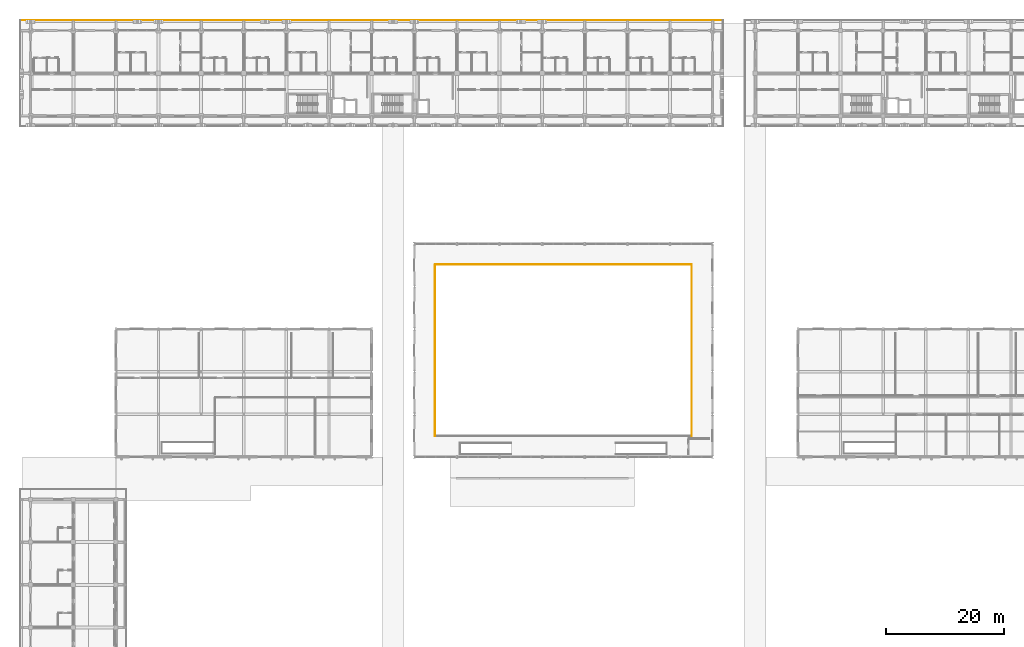
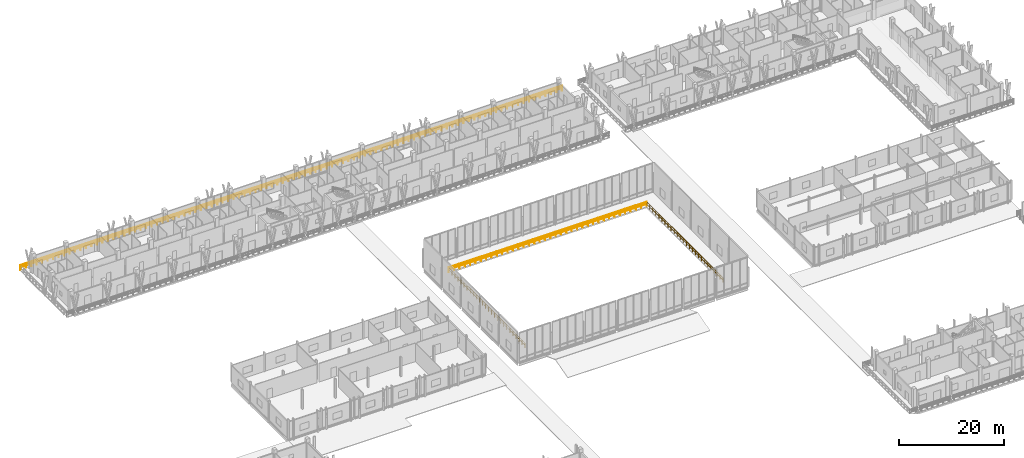
# One storey, part 101 of 110: 4 railings.
"""IFC4 building model written with IfcOpenShell, lengths in metres."""

from ifc_helpers import new_model, si_unit, direction, frame, origin, origin_2d, place, context, subcontext, project, spatial, rectangle, extrude, material, type_object, element, save


model = new_model("IFC4")

# Units and contexts
model_context = context("Model", 3, precision=1e-05, world=origin(), true_north=direction((0.0, 1.0)))
body_context = subcontext(model_context, "Body", "Model", "MODEL_VIEW")
ifc_project = project(units=[si_unit("LENGTHUNIT", "METRE"), si_unit("AREAUNIT", "SQUARE_METRE"), si_unit("VOLUMEUNIT", "CUBIC_METRE"), si_unit("PLANEANGLEUNIT", "RADIAN"), si_unit("MASSUNIT", "GRAM", prefix="KILO")], contexts=[model_context])

# Site, building, storey
site_placement = place(None, origin())
site = spatial("IfcSite", under=ifc_project, at=site_placement, CompositionType="ELEMENT")
building_placement = place(site_placement, origin())
building = spatial("IfcBuilding", under=site, at=building_placement, Name="Suanplinth Sawtooth Commons", CompositionType="ELEMENT")
storey_placement = place(building_placement, frame((0.0, 0.0, 4.5)))
storey = spatial("IfcBuildingStorey", under=building, at=storey_placement, Name="L01", CompositionType="ELEMENT", Elevation=4.5)

# Railings
ifc_material_1 = material(Name="Powder-coated galvanized steel", Category="steel")
railing_type_1 = type_object("IfcRailingType", Name="GR-01", PredefinedType="BALUSTRADE", material=ifc_material_1)
railing_1_placement = place(storey_placement, frame((-1.739990234375, 124.139892578125, 0.0)))
element("IfcRailing", 1, at=railing_1_placement, inside=storey, type_object=railing_type_1, Name="L01 Block A Perimeter Balustrade 2", PredefinedType="BALUSTRADE", context=body_context, shape_type="SweptSolid", body=[
    extrude(rectangle(XDim=0.048095703125, YDim=0.048095703125, at=origin_2d()), frame((0.0, 0.0, 1.09619140625), z_axis=(1.0, 0.0, 0.0), x_axis=(0.0, 1.0, 0.0)), (0.0, 0.0, 1.0), 118.679931640625),
    extrude(rectangle(XDim=0.03369140625, YDim=0.03369140625, at=origin_2d()), frame((0.0, 0.0, 0.56005859375), z_axis=(1.0, 0.0, 0.0), x_axis=(0.0, 1.0, 0.0)), (0.0, 0.0, 1.0), 118.679931640625),
    extrude(rectangle(XDim=0.0419921875, YDim=0.0419921875, at=origin_2d()), origin(), (0.0, 0.0, 1.0), 1.072021484375),
    extrude(rectangle(XDim=0.0419921875, YDim=0.0419921875, at=origin_2d()), frame((1.19873046875, 0.0, 0.0)), (0.0, 0.0, 1.0), 1.072021484375),
    extrude(rectangle(XDim=0.0419921875, YDim=0.0419921875, at=origin_2d()), frame((2.3974609375, 0.0, 0.0)), (0.0, 0.0, 1.0), 1.072021484375),
    extrude(rectangle(XDim=0.0419921875, YDim=0.0419921875, at=origin_2d()), frame((3.596435546875, 0.0, 0.0)), (0.0, 0.0, 1.0), 1.072021484375),
    extrude(rectangle(XDim=0.0419921875, YDim=0.0419921875, at=origin_2d()), frame((4.795166015625, 0.0, 0.0)), (0.0, 0.0, 1.0), 1.072021484375),
    extrude(rectangle(XDim=0.0419921875, YDim=0.0419921875, at=origin_2d()), frame((5.993896484375, 0.0, 0.0)), (0.0, 0.0, 1.0), 1.072021484375),
    extrude(rectangle(XDim=0.0419921875, YDim=0.0419921875, at=origin_2d()), frame((7.192626953125, 0.0, 0.0)), (0.0, 0.0, 1.0), 1.072021484375),
    extrude(rectangle(XDim=0.0419921875, YDim=0.0419921875, at=origin_2d()), frame((8.3916015625, 0.0, 0.0)), (0.0, 0.0, 1.0), 1.072021484375),
    extrude(rectangle(XDim=0.0419921875, YDim=0.0419921875, at=origin_2d()), frame((9.59033203125, 0.0, 0.0)), (0.0, 0.0, 1.0), 1.072021484375),
    extrude(rectangle(XDim=0.0419921875, YDim=0.0419921875, at=origin_2d()), frame((10.7890625, 0.0, 0.0)), (0.0, 0.0, 1.0), 1.072021484375),
    extrude(rectangle(XDim=0.0419921875, YDim=0.0419921875, at=origin_2d()), frame((11.98779296875, 0.0, 0.0)), (0.0, 0.0, 1.0), 1.072021484375),
    extrude(rectangle(XDim=0.0419921875, YDim=0.0419921875, at=origin_2d()), frame((13.186767578125, 0.0, 0.0)), (0.0, 0.0, 1.0), 1.072021484375),
    extrude(rectangle(XDim=0.0419921875, YDim=0.0419921875, at=origin_2d()), frame((14.385498046875, 0.0, 0.0)), (0.0, 0.0, 1.0), 1.072021484375),
    extrude(rectangle(XDim=0.0419921875, YDim=0.0419921875, at=origin_2d()), frame((15.584228515625, 0.0, 0.0)), (0.0, 0.0, 1.0), 1.072021484375),
    extrude(rectangle(XDim=0.0419921875, YDim=0.0419921875, at=origin_2d()), frame((16.782958984375, 0.0, 0.0)), (0.0, 0.0, 1.0), 1.072021484375),
    extrude(rectangle(XDim=0.0419921875, YDim=0.0419921875, at=origin_2d()), frame((17.981689453125, 0.0, 0.0)), (0.0, 0.0, 1.0), 1.072021484375),
    extrude(rectangle(XDim=0.0419921875, YDim=0.0419921875, at=origin_2d()), frame((19.1806640625, 0.0, 0.0)), (0.0, 0.0, 1.0), 1.072021484375),
    extrude(rectangle(XDim=0.0419921875, YDim=0.0419921875, at=origin_2d()), frame((20.37939453125, 0.0, 0.0)), (0.0, 0.0, 1.0), 1.072021484375),
    extrude(rectangle(XDim=0.0419921875, YDim=0.0419921875, at=origin_2d()), frame((21.578125, 0.0, 0.0)), (0.0, 0.0, 1.0), 1.072021484375),
    extrude(rectangle(XDim=0.0419921875, YDim=0.0419921875, at=origin_2d()), frame((22.77685546875, 0.0, 0.0)), (0.0, 0.0, 1.0), 1.072021484375),
    extrude(rectangle(XDim=0.0419921875, YDim=0.0419921875, at=origin_2d()), frame((23.975830078125, 0.0, 0.0)), (0.0, 0.0, 1.0), 1.072021484375),
    extrude(rectangle(XDim=0.0419921875, YDim=0.0419921875, at=origin_2d()), frame((25.174560546875, 0.0, 0.0)), (0.0, 0.0, 1.0), 1.072021484375),
    extrude(rectangle(XDim=0.0419921875, YDim=0.0419921875, at=origin_2d()), frame((26.373291015625, 0.0, 0.0)), (0.0, 0.0, 1.0), 1.072021484375),
    extrude(rectangle(XDim=0.0419921875, YDim=0.0419921875, at=origin_2d()), frame((27.572021484375, 0.0, 0.0)), (0.0, 0.0, 1.0), 1.072021484375),
    extrude(rectangle(XDim=0.0419921875, YDim=0.0419921875, at=origin_2d()), frame((28.77099609375, 0.0, 0.0)), (0.0, 0.0, 1.0), 1.072021484375),
    extrude(rectangle(XDim=0.0419921875, YDim=0.0419921875, at=origin_2d()), frame((29.9697265625, 0.0, 0.0)), (0.0, 0.0, 1.0), 1.072021484375),
    extrude(rectangle(XDim=0.0419921875, YDim=0.0419921875, at=origin_2d()), frame((31.16845703125, 0.0, 0.0)), (0.0, 0.0, 1.0), 1.072021484375),
    extrude(rectangle(XDim=0.0419921875, YDim=0.0419921875, at=origin_2d()), frame((32.3671875, 0.0, 0.0)), (0.0, 0.0, 1.0), 1.072021484375),
    extrude(rectangle(XDim=0.0419921875, YDim=0.0419921875, at=origin_2d()), frame((33.566162109375, 0.0, 0.0)), (0.0, 0.0, 1.0), 1.072021484375),
    extrude(rectangle(XDim=0.0419921875, YDim=0.0419921875, at=origin_2d()), frame((34.764892578125, 0.0, 0.0)), (0.0, 0.0, 1.0), 1.072021484375),
    extrude(rectangle(XDim=0.0419921875, YDim=0.0419921875, at=origin_2d()), frame((35.963623046875, 0.0, 0.0)), (0.0, 0.0, 1.0), 1.072021484375),
    extrude(rectangle(XDim=0.0419921875, YDim=0.0419921875, at=origin_2d()), frame((37.162353515625, 0.0, 0.0)), (0.0, 0.0, 1.0), 1.072021484375),
    extrude(rectangle(XDim=0.0419921875, YDim=0.0419921875, at=origin_2d()), frame((38.361083984375, 0.0, 0.0)), (0.0, 0.0, 1.0), 1.072021484375),
    extrude(rectangle(XDim=0.0419921875, YDim=0.0419921875, at=origin_2d()), frame((39.56005859375, 0.0, 0.0)), (0.0, 0.0, 1.0), 1.072021484375),
    extrude(rectangle(XDim=0.0419921875, YDim=0.0419921875, at=origin_2d()), frame((40.7587890625, 0.0, 0.0)), (0.0, 0.0, 1.0), 1.072021484375),
    extrude(rectangle(XDim=0.0419921875, YDim=0.0419921875, at=origin_2d()), frame((41.95751953125, 0.0, 0.0)), (0.0, 0.0, 1.0), 1.072021484375),
    extrude(rectangle(XDim=0.0419921875, YDim=0.0419921875, at=origin_2d()), frame((43.15625, 0.0, 0.0)), (0.0, 0.0, 1.0), 1.072021484375),
    extrude(rectangle(XDim=0.0419921875, YDim=0.0419921875, at=origin_2d()), frame((44.355224609375, 0.0, 0.0)), (0.0, 0.0, 1.0), 1.072021484375),
    extrude(rectangle(XDim=0.0419921875, YDim=0.0419921875, at=origin_2d()), frame((45.553955078125, 0.0, 0.0)), (0.0, 0.0, 1.0), 1.072021484375),
    extrude(rectangle(XDim=0.0419921875, YDim=0.0419921875, at=origin_2d()), frame((46.752685546875, 0.0, 0.0)), (0.0, 0.0, 1.0), 1.072021484375),
    extrude(rectangle(XDim=0.0419921875, YDim=0.0419921875, at=origin_2d()), frame((47.951416015625, 0.0, 0.0)), (0.0, 0.0, 1.0), 1.072021484375),
    extrude(rectangle(XDim=0.0419921875, YDim=0.0419921875, at=origin_2d()), frame((49.150390625, 0.0, 0.0)), (0.0, 0.0, 1.0), 1.072021484375),
    extrude(rectangle(XDim=0.0419921875, YDim=0.0419921875, at=origin_2d()), frame((50.34912109375, 0.0, 0.0)), (0.0, 0.0, 1.0), 1.072021484375),
    extrude(rectangle(XDim=0.0419921875, YDim=0.0419921875, at=origin_2d()), frame((51.5478515625, 0.0, 0.0)), (0.0, 0.0, 1.0), 1.072021484375),
    extrude(rectangle(XDim=0.0419921875, YDim=0.0419921875, at=origin_2d()), frame((52.74658203125, 0.0, 0.0)), (0.0, 0.0, 1.0), 1.072021484375),
    extrude(rectangle(XDim=0.0419921875, YDim=0.0419921875, at=origin_2d()), frame((53.9453125, 0.0, 0.0)), (0.0, 0.0, 1.0), 1.072021484375),
    extrude(rectangle(XDim=0.0419921875, YDim=0.0419921875, at=origin_2d()), frame((55.144287109375, 0.0, 0.0)), (0.0, 0.0, 1.0), 1.072021484375),
    extrude(rectangle(XDim=0.0419921875, YDim=0.0419921875, at=origin_2d()), frame((56.343017578125, 0.0, 0.0)), (0.0, 0.0, 1.0), 1.072021484375),
    extrude(rectangle(XDim=0.0419921875, YDim=0.0419921875, at=origin_2d()), frame((57.541748046875, 0.0, 0.0)), (0.0, 0.0, 1.0), 1.072021484375),
    extrude(rectangle(XDim=0.0419921875, YDim=0.0419921875, at=origin_2d()), frame((58.740478515625, 0.0, 0.0)), (0.0, 0.0, 1.0), 1.072021484375),
    extrude(rectangle(XDim=0.0419921875, YDim=0.0419921875, at=origin_2d()), frame((59.939453125, 0.0, 0.0)), (0.0, 0.0, 1.0), 1.072021484375),
    extrude(rectangle(XDim=0.0419921875, YDim=0.0419921875, at=origin_2d()), frame((61.13818359375, 0.0, 0.0)), (0.0, 0.0, 1.0), 1.072021484375),
    extrude(rectangle(XDim=0.0419921875, YDim=0.0419921875, at=origin_2d()), frame((62.3369140625, 0.0, 0.0)), (0.0, 0.0, 1.0), 1.072021484375),
    extrude(rectangle(XDim=0.0419921875, YDim=0.0419921875, at=origin_2d()), frame((63.53564453125, 0.0, 0.0)), (0.0, 0.0, 1.0), 1.072021484375),
    extrude(rectangle(XDim=0.0419921875, YDim=0.0419921875, at=origin_2d()), frame((64.734619140625, 0.0, 0.0)), (0.0, 0.0, 1.0), 1.072021484375),
    extrude(rectangle(XDim=0.0419921875, YDim=0.0419921875, at=origin_2d()), frame((65.933349609375, 0.0, 0.0)), (0.0, 0.0, 1.0), 1.072021484375),
    extrude(rectangle(XDim=0.0419921875, YDim=0.0419921875, at=origin_2d()), frame((67.132080078125, 0.0, 0.0)), (0.0, 0.0, 1.0), 1.072021484375),
    extrude(rectangle(XDim=0.0419921875, YDim=0.0419921875, at=origin_2d()), frame((68.330810546875, 0.0, 0.0)), (0.0, 0.0, 1.0), 1.072021484375),
    extrude(rectangle(XDim=0.0419921875, YDim=0.0419921875, at=origin_2d()), frame((69.529541015625, 0.0, 0.0)), (0.0, 0.0, 1.0), 1.072021484375),
    extrude(rectangle(XDim=0.0419921875, YDim=0.0419921875, at=origin_2d()), frame((70.728515625, 0.0, 0.0)), (0.0, 0.0, 1.0), 1.072021484375),
    extrude(rectangle(XDim=0.0419921875, YDim=0.0419921875, at=origin_2d()), frame((71.92724609375, 0.0, 0.0)), (0.0, 0.0, 1.0), 1.072021484375),
    extrude(rectangle(XDim=0.0419921875, YDim=0.0419921875, at=origin_2d()), frame((73.1259765625, 0.0, 0.0)), (0.0, 0.0, 1.0), 1.072021484375),
    extrude(rectangle(XDim=0.0419921875, YDim=0.0419921875, at=origin_2d()), frame((74.32470703125, 0.0, 0.0)), (0.0, 0.0, 1.0), 1.072021484375),
    extrude(rectangle(XDim=0.0419921875, YDim=0.0419921875, at=origin_2d()), frame((75.523681640625, 0.0, 0.0)), (0.0, 0.0, 1.0), 1.072021484375),
    extrude(rectangle(XDim=0.0419921875, YDim=0.0419921875, at=origin_2d()), frame((76.722412109375, 0.0, 0.0)), (0.0, 0.0, 1.0), 1.072021484375),
    extrude(rectangle(XDim=0.0419921875, YDim=0.0419921875, at=origin_2d()), frame((77.921142578125, 0.0, 0.0)), (0.0, 0.0, 1.0), 1.072021484375),
    extrude(rectangle(XDim=0.0419921875, YDim=0.0419921875, at=origin_2d()), frame((79.119873046875, 0.0, 0.0)), (0.0, 0.0, 1.0), 1.072021484375),
    extrude(rectangle(XDim=0.0419921875, YDim=0.0419921875, at=origin_2d()), frame((80.31884765625, 0.0, 0.0)), (0.0, 0.0, 1.0), 1.072021484375),
    extrude(rectangle(XDim=0.0419921875, YDim=0.0419921875, at=origin_2d()), frame((81.517578125, 0.0, 0.0)), (0.0, 0.0, 1.0), 1.072021484375),
    extrude(rectangle(XDim=0.0419921875, YDim=0.0419921875, at=origin_2d()), frame((82.71630859375, 0.0, 0.0)), (0.0, 0.0, 1.0), 1.072021484375),
    extrude(rectangle(XDim=0.0419921875, YDim=0.0419921875, at=origin_2d()), frame((83.9150390625, 0.0, 0.0)), (0.0, 0.0, 1.0), 1.072021484375),
    extrude(rectangle(XDim=0.0419921875, YDim=0.0419921875, at=origin_2d()), frame((85.11376953125, 0.0, 0.0)), (0.0, 0.0, 1.0), 1.072021484375),
    extrude(rectangle(XDim=0.0419921875, YDim=0.0419921875, at=origin_2d()), frame((86.312744140625, 0.0, 0.0)), (0.0, 0.0, 1.0), 1.072021484375),
    extrude(rectangle(XDim=0.0419921875, YDim=0.0419921875, at=origin_2d()), frame((87.511474609375, 0.0, 0.0)), (0.0, 0.0, 1.0), 1.072021484375),
    extrude(rectangle(XDim=0.0419921875, YDim=0.0419921875, at=origin_2d()), frame((88.710205078125, 0.0, 0.0)), (0.0, 0.0, 1.0), 1.072021484375),
    extrude(rectangle(XDim=0.0419921875, YDim=0.0419921875, at=origin_2d()), frame((89.908935546875, 0.0, 0.0)), (0.0, 0.0, 1.0), 1.072021484375),
    extrude(rectangle(XDim=0.0419921875, YDim=0.0419921875, at=origin_2d()), frame((91.10791015625, 0.0, 0.0)), (0.0, 0.0, 1.0), 1.072021484375),
    extrude(rectangle(XDim=0.0419921875, YDim=0.0419921875, at=origin_2d()), frame((92.306640625, 0.0, 0.0)), (0.0, 0.0, 1.0), 1.072021484375),
    extrude(rectangle(XDim=0.0419921875, YDim=0.0419921875, at=origin_2d()), frame((93.50537109375, 0.0, 0.0)), (0.0, 0.0, 1.0), 1.072021484375),
    extrude(rectangle(XDim=0.0419921875, YDim=0.0419921875, at=origin_2d()), frame((94.7041015625, 0.0, 0.0)), (0.0, 0.0, 1.0), 1.072021484375),
    extrude(rectangle(XDim=0.0419921875, YDim=0.0419921875, at=origin_2d()), frame((95.903076171875, 0.0, 0.0)), (0.0, 0.0, 1.0), 1.072021484375),
    extrude(rectangle(XDim=0.0419921875, YDim=0.0419921875, at=origin_2d()), frame((97.101806640625, 0.0, 0.0)), (0.0, 0.0, 1.0), 1.072021484375),
    extrude(rectangle(XDim=0.0419921875, YDim=0.0419921875, at=origin_2d()), frame((98.300537109375, 0.0, 0.0)), (0.0, 0.0, 1.0), 1.072021484375),
    extrude(rectangle(XDim=0.0419921875, YDim=0.0419921875, at=origin_2d()), frame((99.499267578125, 0.0, 0.0)), (0.0, 0.0, 1.0), 1.072021484375),
    extrude(rectangle(XDim=0.0419921875, YDim=0.0419921875, at=origin_2d()), frame((100.6982421875, 0.0, 0.0)), (0.0, 0.0, 1.0), 1.072021484375),
    extrude(rectangle(XDim=0.0419921875, YDim=0.0419921875, at=origin_2d()), frame((101.89697265625, 0.0, 0.0)), (0.0, 0.0, 1.0), 1.072021484375),
    extrude(rectangle(XDim=0.0419921875, YDim=0.0419921875, at=origin_2d()), frame((103.095703125, 0.0, 0.0)), (0.0, 0.0, 1.0), 1.072021484375),
    extrude(rectangle(XDim=0.0419921875, YDim=0.0419921875, at=origin_2d()), frame((104.29443359375, 0.0, 0.0)), (0.0, 0.0, 1.0), 1.072021484375),
    extrude(rectangle(XDim=0.0419921875, YDim=0.0419921875, at=origin_2d()), frame((105.4931640625, 0.0, 0.0)), (0.0, 0.0, 1.0), 1.072021484375),
    extrude(rectangle(XDim=0.0419921875, YDim=0.0419921875, at=origin_2d()), frame((106.692138671875, 0.0, 0.0)), (0.0, 0.0, 1.0), 1.072021484375),
    extrude(rectangle(XDim=0.0419921875, YDim=0.0419921875, at=origin_2d()), frame((107.890869140625, 0.0, 0.0)), (0.0, 0.0, 1.0), 1.072021484375),
    extrude(rectangle(XDim=0.0419921875, YDim=0.0419921875, at=origin_2d()), frame((109.089599609375, 0.0, 0.0)), (0.0, 0.0, 1.0), 1.072021484375),
    extrude(rectangle(XDim=0.0419921875, YDim=0.0419921875, at=origin_2d()), frame((110.288330078125, 0.0, 0.0)), (0.0, 0.0, 1.0), 1.072021484375),
    extrude(rectangle(XDim=0.0419921875, YDim=0.0419921875, at=origin_2d()), frame((111.4873046875, 0.0, 0.0)), (0.0, 0.0, 1.0), 1.072021484375),
    extrude(rectangle(XDim=0.0419921875, YDim=0.0419921875, at=origin_2d()), frame((112.68603515625, 0.0, 0.0)), (0.0, 0.0, 1.0), 1.072021484375),
    extrude(rectangle(XDim=0.0419921875, YDim=0.0419921875, at=origin_2d()), frame((113.884765625, 0.0, 0.0)), (0.0, 0.0, 1.0), 1.072021484375),
    extrude(rectangle(XDim=0.0419921875, YDim=0.0419921875, at=origin_2d()), frame((115.08349609375, 0.0, 0.0)), (0.0, 0.0, 1.0), 1.072021484375),
    extrude(rectangle(XDim=0.0419921875, YDim=0.0419921875, at=origin_2d()), frame((116.282470703125, 0.0, 0.0)), (0.0, 0.0, 1.0), 1.072021484375),
    extrude(rectangle(XDim=0.0419921875, YDim=0.0419921875, at=origin_2d()), frame((117.481201171875, 0.0, 0.0)), (0.0, 0.0, 1.0), 1.072021484375),
    extrude(rectangle(XDim=0.0419921875, YDim=0.0419921875, at=origin_2d()), frame((118.679931640625, 0.0, 0.0)), (0.0, 0.0, 1.0), 1.072021484375),
])
ifc_material_2 = material(Name="Stainless steel Grade 304", Category="steel")
railing_type_2 = type_object("IfcRailingType", Name="GR-04", PredefinedType="GUARDRAIL", material=ifc_material_2)
railing_2_placement = place(storey_placement, frame((111.679931640625, 53.919921875, 0.0)))
element("IfcRailing", 2, at=railing_2_placement, inside=storey, type_object=railing_type_2, Name="L01 Community Hall Reading Gallery Guardrail 2", PredefinedType="GUARDRAIL", context=body_context, shape_type="SweptSolid", body=[
    extrude(rectangle(XDim=0.048095703125, YDim=0.048095703125, at=origin_2d()), frame((0.0, 0.0, 1.076171875), z_axis=(0.0, 1.0, 0.0), x_axis=(-1.0, 0.0, 0.0)), (0.0, 0.0, 1.0), 28.9599609375),
    extrude(rectangle(XDim=0.03369140625, YDim=0.03369140625, at=origin_2d()), frame((0.0, 0.0, 0.550048828125), z_axis=(0.0, 1.0, 0.0), x_axis=(-1.0, 0.0, 0.0)), (0.0, 0.0, 1.0), 28.9599609375),
    extrude(rectangle(XDim=0.0419921875, YDim=0.0419921875, at=origin_2d()), origin(), (0.0, 0.0, 1.0), 1.052001953125),
    extrude(rectangle(XDim=0.0419921875, YDim=0.0419921875, at=origin_2d()), frame((0.0, 1.158447265625, 0.0)), (0.0, 0.0, 1.0), 1.052001953125),
    extrude(rectangle(XDim=0.0419921875, YDim=0.0419921875, at=origin_2d()), frame((0.0, 2.31689453125, 0.0)), (0.0, 0.0, 1.0), 1.052001953125),
    extrude(rectangle(XDim=0.0419921875, YDim=0.0419921875, at=origin_2d()), frame((0.0, 3.47509765625, 0.0)), (0.0, 0.0, 1.0), 1.052001953125),
    extrude(rectangle(XDim=0.0419921875, YDim=0.0419921875, at=origin_2d()), frame((0.0, 4.633544921875, 0.0)), (0.0, 0.0, 1.0), 1.052001953125),
    extrude(rectangle(XDim=0.0419921875, YDim=0.0419921875, at=origin_2d()), frame((0.0, 5.7919921875, 0.0)), (0.0, 0.0, 1.0), 1.052001953125),
    extrude(rectangle(XDim=0.0419921875, YDim=0.0419921875, at=origin_2d()), frame((0.0, 6.950439453125, 0.0)), (0.0, 0.0, 1.0), 1.052001953125),
    extrude(rectangle(XDim=0.0419921875, YDim=0.0419921875, at=origin_2d()), frame((0.0, 8.10888671875, 0.0)), (0.0, 0.0, 1.0), 1.052001953125),
    extrude(rectangle(XDim=0.0419921875, YDim=0.0419921875, at=origin_2d()), frame((0.0, 9.26708984375, 0.0)), (0.0, 0.0, 1.0), 1.052001953125),
    extrude(rectangle(XDim=0.0419921875, YDim=0.0419921875, at=origin_2d()), frame((0.0, 10.425537109375, 0.0)), (0.0, 0.0, 1.0), 1.052001953125),
    extrude(rectangle(XDim=0.0419921875, YDim=0.0419921875, at=origin_2d()), frame((0.0, 11.583984375, 0.0)), (0.0, 0.0, 1.0), 1.052001953125),
    extrude(rectangle(XDim=0.0419921875, YDim=0.0419921875, at=origin_2d()), frame((0.0, 12.742431640625, 0.0)), (0.0, 0.0, 1.0), 1.052001953125),
    extrude(rectangle(XDim=0.0419921875, YDim=0.0419921875, at=origin_2d()), frame((0.0, 13.90087890625, 0.0)), (0.0, 0.0, 1.0), 1.052001953125),
    extrude(rectangle(XDim=0.0419921875, YDim=0.0419921875, at=origin_2d()), frame((0.0, 15.05908203125, 0.0)), (0.0, 0.0, 1.0), 1.052001953125),
    extrude(rectangle(XDim=0.0419921875, YDim=0.0419921875, at=origin_2d()), frame((0.0, 16.217529296875, 0.0)), (0.0, 0.0, 1.0), 1.052001953125),
    extrude(rectangle(XDim=0.0419921875, YDim=0.0419921875, at=origin_2d()), frame((0.0, 17.3759765625, 0.0)), (0.0, 0.0, 1.0), 1.052001953125),
    extrude(rectangle(XDim=0.0419921875, YDim=0.0419921875, at=origin_2d()), frame((0.0, 18.534423828125, 0.0)), (0.0, 0.0, 1.0), 1.052001953125),
    extrude(rectangle(XDim=0.0419921875, YDim=0.0419921875, at=origin_2d()), frame((0.0, 19.69287109375, 0.0)), (0.0, 0.0, 1.0), 1.052001953125),
    extrude(rectangle(XDim=0.0419921875, YDim=0.0419921875, at=origin_2d()), frame((0.0, 20.85107421875, 0.0)), (0.0, 0.0, 1.0), 1.052001953125),
    extrude(rectangle(XDim=0.0419921875, YDim=0.0419921875, at=origin_2d()), frame((0.0, 22.009521484375, 0.0)), (0.0, 0.0, 1.0), 1.052001953125),
    extrude(rectangle(XDim=0.0419921875, YDim=0.0419921875, at=origin_2d()), frame((0.0, 23.16796875, 0.0)), (0.0, 0.0, 1.0), 1.052001953125),
    extrude(rectangle(XDim=0.0419921875, YDim=0.0419921875, at=origin_2d()), frame((0.0, 24.326416015625, 0.0)), (0.0, 0.0, 1.0), 1.052001953125),
    extrude(rectangle(XDim=0.0419921875, YDim=0.0419921875, at=origin_2d()), frame((0.0, 25.48486328125, 0.0)), (0.0, 0.0, 1.0), 1.052001953125),
    extrude(rectangle(XDim=0.0419921875, YDim=0.0419921875, at=origin_2d()), frame((0.0, 26.64306640625, 0.0)), (0.0, 0.0, 1.0), 1.052001953125),
    extrude(rectangle(XDim=0.0419921875, YDim=0.0419921875, at=origin_2d()), frame((0.0, 27.801513671875, 0.0)), (0.0, 0.0, 1.0), 1.052001953125),
    extrude(rectangle(XDim=0.0419921875, YDim=0.0419921875, at=origin_2d()), frame((0.0, 28.9599609375, 0.0)), (0.0, 0.0, 1.0), 1.052001953125),
])
railing_3_placement = place(storey_placement, frame((111.679931640625, 82.8798828125, 0.0)))
element("IfcRailing", 3, at=railing_3_placement, inside=storey, type_object=railing_type_2, Name="L01 Community Hall Reading Gallery Guardrail 3", PredefinedType="GUARDRAIL", context=body_context, shape_type="SweptSolid", body=[
    extrude(rectangle(XDim=0.048095703125, YDim=0.048095703125, at=origin_2d()), frame((0.0, 0.0, 1.076171875), z_axis=(-1.0, 0.0, 0.0), x_axis=(0.0, -1.0, 0.0)), (0.0, 0.0, 1.0), 43.35986328125),
    extrude(rectangle(XDim=0.03369140625, YDim=0.03369140625, at=origin_2d()), frame((0.0, 0.0, 0.550048828125), z_axis=(-1.0, 0.0, 0.0), x_axis=(0.0, -1.0, 0.0)), (0.0, 0.0, 1.0), 43.35986328125),
    extrude(rectangle(XDim=0.0419921875, YDim=0.0419921875, at=origin_2d()), origin(), (0.0, 0.0, 1.0), 1.052001953125),
    extrude(rectangle(XDim=0.0419921875, YDim=0.0419921875, at=origin_2d()), frame((-1.171875, 0.0, 0.0)), (0.0, 0.0, 1.0), 1.052001953125),
    extrude(rectangle(XDim=0.0419921875, YDim=0.0419921875, at=origin_2d()), frame((-2.34375, 0.0, 0.0)), (0.0, 0.0, 1.0), 1.052001953125),
    extrude(rectangle(XDim=0.0419921875, YDim=0.0419921875, at=origin_2d()), frame((-3.515625, 0.0, 0.0)), (0.0, 0.0, 1.0), 1.052001953125),
    extrude(rectangle(XDim=0.0419921875, YDim=0.0419921875, at=origin_2d()), frame((-4.6875, 0.0, 0.0)), (0.0, 0.0, 1.0), 1.052001953125),
    extrude(rectangle(XDim=0.0419921875, YDim=0.0419921875, at=origin_2d()), frame((-5.859375, 0.0, 0.0)), (0.0, 0.0, 1.0), 1.052001953125),
    extrude(rectangle(XDim=0.0419921875, YDim=0.0419921875, at=origin_2d()), frame((-7.03125, 0.0, 0.0)), (0.0, 0.0, 1.0), 1.052001953125),
    extrude(rectangle(XDim=0.0419921875, YDim=0.0419921875, at=origin_2d()), frame((-8.203125, 0.0, 0.0)), (0.0, 0.0, 1.0), 1.052001953125),
    extrude(rectangle(XDim=0.0419921875, YDim=0.0419921875, at=origin_2d()), frame((-9.375, 0.0, 0.0)), (0.0, 0.0, 1.0), 1.052001953125),
    extrude(rectangle(XDim=0.0419921875, YDim=0.0419921875, at=origin_2d()), frame((-10.546875, 0.0, 0.0)), (0.0, 0.0, 1.0), 1.052001953125),
    extrude(rectangle(XDim=0.0419921875, YDim=0.0419921875, at=origin_2d()), frame((-11.718994140625, 0.0, 0.0)), (0.0, 0.0, 1.0), 1.052001953125),
    extrude(rectangle(XDim=0.0419921875, YDim=0.0419921875, at=origin_2d()), frame((-12.890869140625, 0.0, 0.0)), (0.0, 0.0, 1.0), 1.052001953125),
    extrude(rectangle(XDim=0.0419921875, YDim=0.0419921875, at=origin_2d()), frame((-14.062744140625, 0.0, 0.0)), (0.0, 0.0, 1.0), 1.052001953125),
    extrude(rectangle(XDim=0.0419921875, YDim=0.0419921875, at=origin_2d()), frame((-15.234619140625, 0.0, 0.0)), (0.0, 0.0, 1.0), 1.052001953125),
    extrude(rectangle(XDim=0.0419921875, YDim=0.0419921875, at=origin_2d()), frame((-16.406494140625, 0.0, 0.0)), (0.0, 0.0, 1.0), 1.052001953125),
    extrude(rectangle(XDim=0.0419921875, YDim=0.0419921875, at=origin_2d()), frame((-17.578369140625, 0.0, 0.0)), (0.0, 0.0, 1.0), 1.052001953125),
    extrude(rectangle(XDim=0.0419921875, YDim=0.0419921875, at=origin_2d()), frame((-18.750244140625, 0.0, 0.0)), (0.0, 0.0, 1.0), 1.052001953125),
    extrude(rectangle(XDim=0.0419921875, YDim=0.0419921875, at=origin_2d()), frame((-19.922119140625, 0.0, 0.0)), (0.0, 0.0, 1.0), 1.052001953125),
    extrude(rectangle(XDim=0.0419921875, YDim=0.0419921875, at=origin_2d()), frame((-21.093994140625, 0.0, 0.0)), (0.0, 0.0, 1.0), 1.052001953125),
    extrude(rectangle(XDim=0.0419921875, YDim=0.0419921875, at=origin_2d()), frame((-22.265869140625, 0.0, 0.0)), (0.0, 0.0, 1.0), 1.052001953125),
    extrude(rectangle(XDim=0.0419921875, YDim=0.0419921875, at=origin_2d()), frame((-23.437744140625, 0.0, 0.0)), (0.0, 0.0, 1.0), 1.052001953125),
    extrude(rectangle(XDim=0.0419921875, YDim=0.0419921875, at=origin_2d()), frame((-24.609619140625, 0.0, 0.0)), (0.0, 0.0, 1.0), 1.052001953125),
    extrude(rectangle(XDim=0.0419921875, YDim=0.0419921875, at=origin_2d()), frame((-25.781494140625, 0.0, 0.0)), (0.0, 0.0, 1.0), 1.052001953125),
    extrude(rectangle(XDim=0.0419921875, YDim=0.0419921875, at=origin_2d()), frame((-26.953369140625, 0.0, 0.0)), (0.0, 0.0, 1.0), 1.052001953125),
    extrude(rectangle(XDim=0.0419921875, YDim=0.0419921875, at=origin_2d()), frame((-28.125244140625, 0.0, 0.0)), (0.0, 0.0, 1.0), 1.052001953125),
    extrude(rectangle(XDim=0.0419921875, YDim=0.0419921875, at=origin_2d()), frame((-29.297119140625, 0.0, 0.0)), (0.0, 0.0, 1.0), 1.052001953125),
    extrude(rectangle(XDim=0.0419921875, YDim=0.0419921875, at=origin_2d()), frame((-30.468994140625, 0.0, 0.0)), (0.0, 0.0, 1.0), 1.052001953125),
    extrude(rectangle(XDim=0.0419921875, YDim=0.0419921875, at=origin_2d()), frame((-31.640869140625, 0.0, 0.0)), (0.0, 0.0, 1.0), 1.052001953125),
    extrude(rectangle(XDim=0.0419921875, YDim=0.0419921875, at=origin_2d()), frame((-32.81298828125, 0.0, 0.0)), (0.0, 0.0, 1.0), 1.052001953125),
    extrude(rectangle(XDim=0.0419921875, YDim=0.0419921875, at=origin_2d()), frame((-33.98486328125, 0.0, 0.0)), (0.0, 0.0, 1.0), 1.052001953125),
    extrude(rectangle(XDim=0.0419921875, YDim=0.0419921875, at=origin_2d()), frame((-35.15673828125, 0.0, 0.0)), (0.0, 0.0, 1.0), 1.052001953125),
    extrude(rectangle(XDim=0.0419921875, YDim=0.0419921875, at=origin_2d()), frame((-36.32861328125, 0.0, 0.0)), (0.0, 0.0, 1.0), 1.052001953125),
    extrude(rectangle(XDim=0.0419921875, YDim=0.0419921875, at=origin_2d()), frame((-37.50048828125, 0.0, 0.0)), (0.0, 0.0, 1.0), 1.052001953125),
    extrude(rectangle(XDim=0.0419921875, YDim=0.0419921875, at=origin_2d()), frame((-38.67236328125, 0.0, 0.0)), (0.0, 0.0, 1.0), 1.052001953125),
    extrude(rectangle(XDim=0.0419921875, YDim=0.0419921875, at=origin_2d()), frame((-39.84423828125, 0.0, 0.0)), (0.0, 0.0, 1.0), 1.052001953125),
    extrude(rectangle(XDim=0.0419921875, YDim=0.0419921875, at=origin_2d()), frame((-41.01611328125, 0.0, 0.0)), (0.0, 0.0, 1.0), 1.052001953125),
    extrude(rectangle(XDim=0.0419921875, YDim=0.0419921875, at=origin_2d()), frame((-42.18798828125, 0.0, 0.0)), (0.0, 0.0, 1.0), 1.052001953125),
    extrude(rectangle(XDim=0.0419921875, YDim=0.0419921875, at=origin_2d()), frame((-43.35986328125, 0.0, 0.0)), (0.0, 0.0, 1.0), 1.052001953125),
])
railing_4_placement = place(storey_placement, frame((68.320068359375, 82.8798828125, 0.0)))
element("IfcRailing", 4, at=railing_4_placement, inside=storey, type_object=railing_type_2, Name="L01 Community Hall Reading Gallery Guardrail 4", PredefinedType="GUARDRAIL", context=body_context, shape_type="SweptSolid", body=[
    extrude(rectangle(XDim=0.048095703125, YDim=0.048095703125, at=origin_2d()), frame((0.0, 0.0, 1.076171875), z_axis=(0.0, -1.0, 0.0), x_axis=(1.0, 0.0, 0.0)), (0.0, 0.0, 1.0), 28.9599609375),
    extrude(rectangle(XDim=0.03369140625, YDim=0.03369140625, at=origin_2d()), frame((0.0, 0.0, 0.550048828125), z_axis=(0.0, -1.0, 0.0), x_axis=(1.0, 0.0, 0.0)), (0.0, 0.0, 1.0), 28.9599609375),
    extrude(rectangle(XDim=0.0419921875, YDim=0.0419921875, at=origin_2d()), origin(), (0.0, 0.0, 1.0), 1.052001953125),
    extrude(rectangle(XDim=0.0419921875, YDim=0.0419921875, at=origin_2d()), frame((0.0, -1.158447265625, 0.0)), (0.0, 0.0, 1.0), 1.052001953125),
    extrude(rectangle(XDim=0.0419921875, YDim=0.0419921875, at=origin_2d()), frame((0.0, -2.31689453125, 0.0)), (0.0, 0.0, 1.0), 1.052001953125),
    extrude(rectangle(XDim=0.0419921875, YDim=0.0419921875, at=origin_2d()), frame((0.0, -3.47509765625, 0.0)), (0.0, 0.0, 1.0), 1.052001953125),
    extrude(rectangle(XDim=0.0419921875, YDim=0.0419921875, at=origin_2d()), frame((0.0, -4.633544921875, 0.0)), (0.0, 0.0, 1.0), 1.052001953125),
    extrude(rectangle(XDim=0.0419921875, YDim=0.0419921875, at=origin_2d()), frame((0.0, -5.7919921875, 0.0)), (0.0, 0.0, 1.0), 1.052001953125),
    extrude(rectangle(XDim=0.0419921875, YDim=0.0419921875, at=origin_2d()), frame((0.0, -6.950439453125, 0.0)), (0.0, 0.0, 1.0), 1.052001953125),
    extrude(rectangle(XDim=0.0419921875, YDim=0.0419921875, at=origin_2d()), frame((0.0, -8.10888671875, 0.0)), (0.0, 0.0, 1.0), 1.052001953125),
    extrude(rectangle(XDim=0.0419921875, YDim=0.0419921875, at=origin_2d()), frame((0.0, -9.26708984375, 0.0)), (0.0, 0.0, 1.0), 1.052001953125),
    extrude(rectangle(XDim=0.0419921875, YDim=0.0419921875, at=origin_2d()), frame((0.0, -10.425537109375, 0.0)), (0.0, 0.0, 1.0), 1.052001953125),
    extrude(rectangle(XDim=0.0419921875, YDim=0.0419921875, at=origin_2d()), frame((0.0, -11.583984375, 0.0)), (0.0, 0.0, 1.0), 1.052001953125),
    extrude(rectangle(XDim=0.0419921875, YDim=0.0419921875, at=origin_2d()), frame((0.0, -12.742431640625, 0.0)), (0.0, 0.0, 1.0), 1.052001953125),
    extrude(rectangle(XDim=0.0419921875, YDim=0.0419921875, at=origin_2d()), frame((0.0, -13.90087890625, 0.0)), (0.0, 0.0, 1.0), 1.052001953125),
    extrude(rectangle(XDim=0.0419921875, YDim=0.0419921875, at=origin_2d()), frame((0.0, -15.05908203125, 0.0)), (0.0, 0.0, 1.0), 1.052001953125),
    extrude(rectangle(XDim=0.0419921875, YDim=0.0419921875, at=origin_2d()), frame((0.0, -16.217529296875, 0.0)), (0.0, 0.0, 1.0), 1.052001953125),
    extrude(rectangle(XDim=0.0419921875, YDim=0.0419921875, at=origin_2d()), frame((0.0, -17.3759765625, 0.0)), (0.0, 0.0, 1.0), 1.052001953125),
    extrude(rectangle(XDim=0.0419921875, YDim=0.0419921875, at=origin_2d()), frame((0.0, -18.534423828125, 0.0)), (0.0, 0.0, 1.0), 1.052001953125),
    extrude(rectangle(XDim=0.0419921875, YDim=0.0419921875, at=origin_2d()), frame((0.0, -19.69287109375, 0.0)), (0.0, 0.0, 1.0), 1.052001953125),
    extrude(rectangle(XDim=0.0419921875, YDim=0.0419921875, at=origin_2d()), frame((0.0, -20.85107421875, 0.0)), (0.0, 0.0, 1.0), 1.052001953125),
    extrude(rectangle(XDim=0.0419921875, YDim=0.0419921875, at=origin_2d()), frame((0.0, -22.009521484375, 0.0)), (0.0, 0.0, 1.0), 1.052001953125),
    extrude(rectangle(XDim=0.0419921875, YDim=0.0419921875, at=origin_2d()), frame((0.0, -23.16796875, 0.0)), (0.0, 0.0, 1.0), 1.052001953125),
    extrude(rectangle(XDim=0.0419921875, YDim=0.0419921875, at=origin_2d()), frame((0.0, -24.326416015625, 0.0)), (0.0, 0.0, 1.0), 1.052001953125),
    extrude(rectangle(XDim=0.0419921875, YDim=0.0419921875, at=origin_2d()), frame((0.0, -25.48486328125, 0.0)), (0.0, 0.0, 1.0), 1.052001953125),
    extrude(rectangle(XDim=0.0419921875, YDim=0.0419921875, at=origin_2d()), frame((0.0, -26.64306640625, 0.0)), (0.0, 0.0, 1.0), 1.052001953125),
    extrude(rectangle(XDim=0.0419921875, YDim=0.0419921875, at=origin_2d()), frame((0.0, -27.801513671875, 0.0)), (0.0, 0.0, 1.0), 1.052001953125),
    extrude(rectangle(XDim=0.0419921875, YDim=0.0419921875, at=origin_2d()), frame((0.0, -28.9599609375, 0.0)), (0.0, 0.0, 1.0), 1.052001953125),
])

save(model, "model.ifc")
